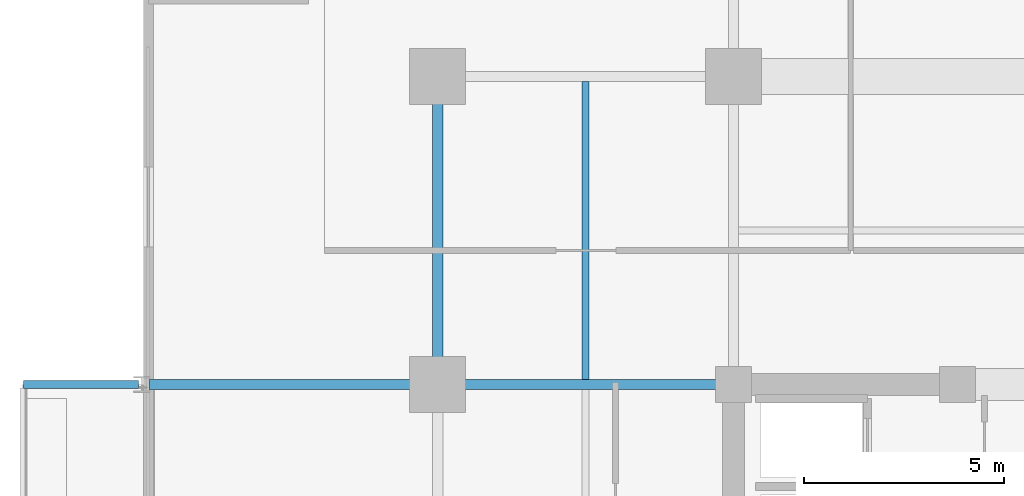
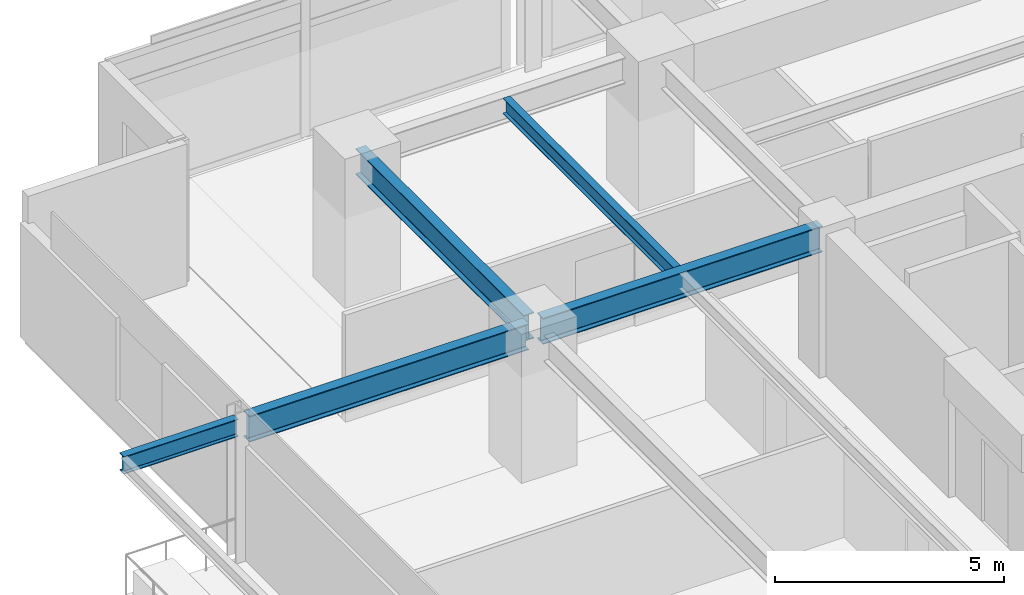
# One storey, part 5 of 23: 5 beams.
"""IFC4 building model written with IfcOpenShell, lengths in metres."""

from ifc_helpers import new_model, si_unit, direction, frame, origin, origin_2d, place, context, subcontext, project, spatial, i_section, extrude, material, material_profile, profile_set, type_object, element, save


model = new_model("IFC4")

# Units and contexts
model_context = context("Model", 3, precision=1e-05, world=origin(), true_north=direction((0.0, 1.0)))
body_context = subcontext(model_context, "Body", "Model", "MODEL_VIEW")
ifc_project = project(units=[si_unit("LENGTHUNIT", "METRE"), si_unit("AREAUNIT", "SQUARE_METRE"), si_unit("VOLUMEUNIT", "CUBIC_METRE"), si_unit("PLANEANGLEUNIT", "RADIAN"), si_unit("MASSUNIT", "GRAM", prefix="KILO")], contexts=[model_context])

# Site, building, storey
site_placement = place(None, origin())
site = spatial("IfcSite", under=ifc_project, at=site_placement, CompositionType="ELEMENT")
building_placement = place(site_placement, origin())
building = spatial("IfcBuilding", under=site, at=building_placement, Name="Kovane Verandah Tower", CompositionType="ELEMENT")
storey_placement = place(building_placement, frame((0.0, 0.0, 221.199951171875)))
storey = spatial("IfcBuildingStorey", under=building, at=storey_placement, Name="L51", CompositionType="ELEMENT", Elevation=221.199951171875)

# Beams
ifc_material = material(Name="Steel S355", Category="steel")
ifc_material_profile_1 = material_profile(ifc_material, i_section(OverallWidth=0.255859375, OverallDepth=0.69287109375, WebThickness=0.014404296875, FlangeThickness=0.023681640625, FilletRadius=0.01513671875, at=origin_2d()), Name="UB686x254x170")
ifc_profile_set_1 = profile_set([ifc_material_profile_1], Name="Steel S355")
beam_type_1 = type_object("IfcBeamType", Name="BM-UB686x170", PredefinedType="BEAM", material=ifc_profile_set_1)
beam_1_placement = place(storey_placement, frame((21.60009765625, 36.679931640625, 3.428466796875), z_axis=(0.0, 1.0, 0.0), x_axis=(-1.0, 0.0, 0.0)))
element("IfcBeam", 1, at=beam_1_placement, inside=storey, type_object=beam_type_1, Name="L51 Primary Tower Girder G-RW3", PredefinedType="BEAM", context=body_context, shape_type="SweptSolid", body=[
    extrude(i_section(OverallWidth=0.255859375, OverallDepth=0.69287109375, WebThickness=0.014404296875, FlangeThickness=0.023681640625, FilletRadius=0.01513671875, at=origin_2d()), origin(), (0.0, 0.0, 1.0), 7.340087890625),
])
for number, where, z_axis, x_axis, name in (
    (2, (28.820068359375, 36.5, 3.428466796875), (-1.0, 0.0, 0.0), (0.0, -1.0, 0.0), "L51 Primary Tower Girder G-W2"),
    (3, (21.419921875, 36.5, 3.41357421875), (-1.0, 0.0, 0.0), (0.0, -1.0, 0.0), "L51 Primary Tower Girder G-VW2"),
):
    element("IfcBeam", number, at=place(storey_placement, frame(where, z_axis=z_axis, x_axis=x_axis)), inside=storey, type_object=beam_type_1, Name=name, PredefinedType="BEAM", context=body_context, shape_type="SweptSolid", body=[
        extrude(i_section(OverallWidth=0.255859375, OverallDepth=0.69287109375, WebThickness=0.014404296875, FlangeThickness=0.023681640625, FilletRadius=0.01513671875, at=origin_2d()), origin(), (0.0, 0.0, 1.0), 7.0400390625),
    ])
ifc_material_profile_2 = material_profile(ifc_material, i_section(OverallWidth=0.179443359375, OverallDepth=0.412841796875, WebThickness=0.009521484375, FlangeThickness=0.01611328125, FilletRadius=0.01025390625, at=origin_2d()), Name="UB406x178x74")
ifc_profile_set_2 = profile_set([ifc_material_profile_2], Name="Steel S355")
beam_type_2 = type_object("IfcBeamType", Name="JST-UB406x74", PredefinedType="JOIST", material=ifc_profile_set_2)
beam_2_placement = place(storey_placement, frame((25.300048828125, 36.6259765625, 3.568603515625), z_axis=(0.0, 1.0, 0.0), x_axis=(-1.0, 0.0, 0.0)))
element("IfcBeam", 4, at=beam_2_placement, inside=storey, type_object=beam_type_2, Name="L51 Secondary Composite Joist J-NW1", PredefinedType="JOIST", context=body_context, shape_type="SweptSolid", body=[
    extrude(i_section(OverallWidth=0.179443359375, OverallDepth=0.412841796875, WebThickness=0.009521484375, FlangeThickness=0.01611328125, FilletRadius=0.01025390625, at=origin_2d()), origin(), (0.0, 0.0, 1.0), 7.4482421875),
])
ifc_material_profile_3 = material_profile(ifc_material, i_section(OverallWidth=0.19287109375, OverallDepth=0.46728515625, WebThickness=0.011474609375, FlangeThickness=0.01953125, FilletRadius=0.01025390625, at=origin_2d()), Name="UB457x191x98")
ifc_profile_set_3 = profile_set([ifc_material_profile_3], Name="Steel S355")
beam_type_3 = type_object("IfcBeamType", Name="JST-UB457x98", PredefinedType="JOIST", material=ifc_profile_set_3)
beam_3_placement = place(storey_placement, frame((14.1201171875, 36.5, 3.5263671875), z_axis=(-1.0, 0.0, 0.0), x_axis=(0.0, -1.0, 0.0)))
element("IfcBeam", 5, at=beam_3_placement, inside=storey, type_object=beam_type_3, Name="L51 West Planter Girder 2", PredefinedType="JOIST", context=body_context, shape_type="SweptSolid", body=[
    extrude(i_section(OverallWidth=0.19287109375, OverallDepth=0.46728515625, WebThickness=0.011474609375, FlangeThickness=0.01953125, FilletRadius=0.01025390625, at=origin_2d()), origin(), (0.0, 0.0, 1.0), 2.8798828125),
])

save(model, "model.ifc")
